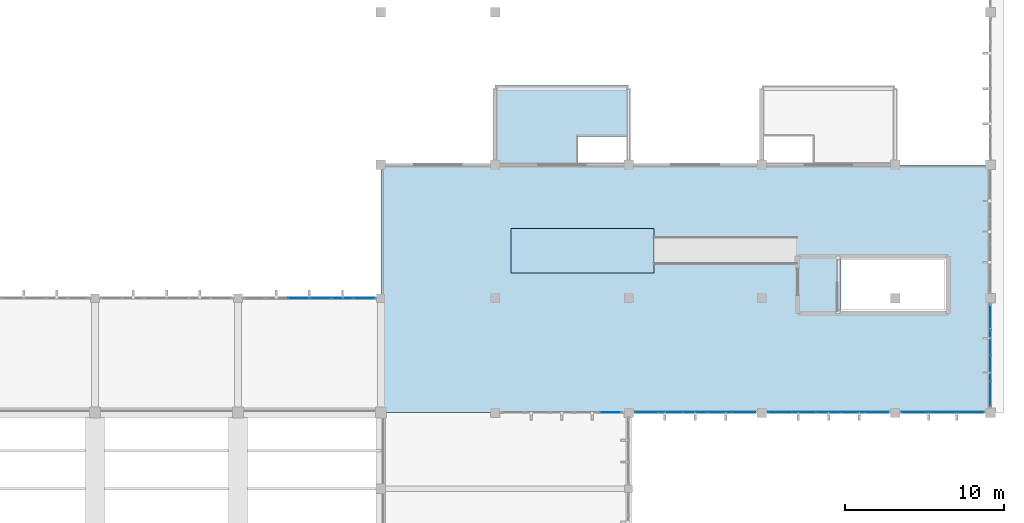
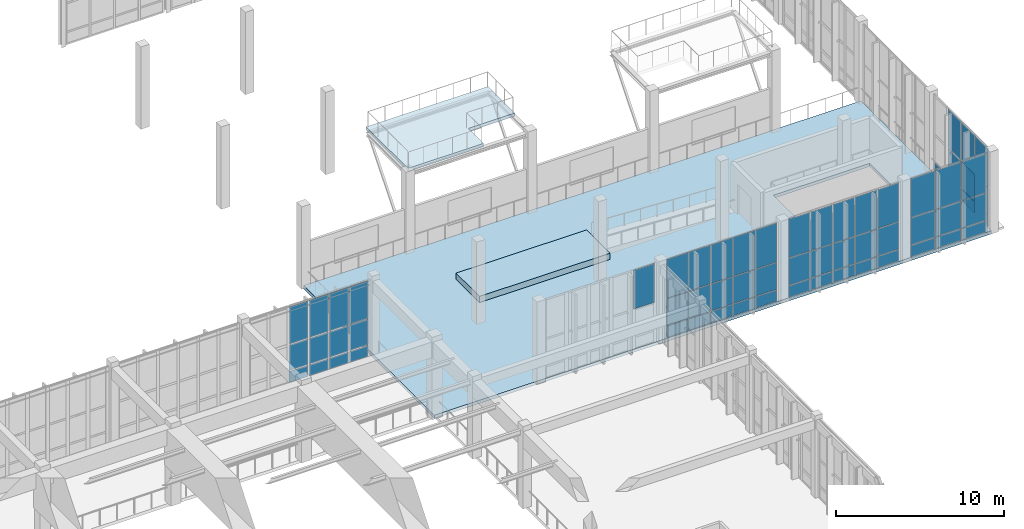
# One storey, part 66 of 105: 62 plates, 3 slabs, 6 elements without a shape of their own.
"""IFC4 building model written with IfcOpenShell, lengths in metres."""

from ifc_helpers import new_model, si_unit, direction, frame, origin, origin_2d, place, context, subcontext, project, spatial, polyline, rectangle, outline, extrude, material, layer, layer_set, type_object, element, aggregate, save


model = new_model("IFC4")

# Units and contexts
model_context = context("Model", 3, precision=1e-05, world=origin(), true_north=direction((0.0, 1.0)))
body_context = subcontext(model_context, "Body", "Model", "MODEL_VIEW")
ifc_project = project(units=[si_unit("LENGTHUNIT", "METRE"), si_unit("AREAUNIT", "SQUARE_METRE"), si_unit("VOLUMEUNIT", "CUBIC_METRE"), si_unit("PLANEANGLEUNIT", "RADIAN"), si_unit("MASSUNIT", "GRAM", prefix="KILO")], contexts=[model_context])

# Site, building, storey
site_placement = place(None, origin())
site = spatial("IfcSite", under=ifc_project, at=site_placement, CompositionType="ELEMENT")
building_placement = place(site_placement, origin())
building = spatial("IfcBuilding", under=site, at=building_placement, Name="Tizgana Railside Sports Hall", CompositionType="ELEMENT")
storey_placement = place(building_placement, frame((0.0, 0.0, 6.0)))
storey = spatial("IfcBuildingStorey", under=building, at=storey_placement, Name="L01", CompositionType="ELEMENT", Elevation=6.0)

# Curtain wall, plates
ifc_material_1 = material(Name="Anodised aluminium and glass", Category="aluminium")
curtain_wall_type_1 = type_object("IfcCurtainWallType", Name="Unitised Curtain Wall Foyer 1300", PredefinedType="NOTDEFINED", material=ifc_material_1)
curtain_wall_1_placement = place(storey_placement, origin())
curtain_wall_1 = element("IfcCurtainWall", 1, at=curtain_wall_1_placement, inside=storey, type_object=curtain_wall_type_1, Name="L01 Curtain Wall CW-0057", PredefinedType="NOTDEFINED")
ifc_material_2 = material(Name="Double low-E laminated glass", Category="glass")
ifc_layer_1 = layer(ifc_material_2, 0.033935546875, Name="Double low-E laminated glass")
ifc_layer_set_1 = layer_set([ifc_layer_1], Name="Double low-E laminated glass")
plate_type_1 = type_object("IfcPlateType", Name="Acoustic Laminated Glazing Panel 34", PredefinedType="CURTAIN_PANEL", material=ifc_layer_set_1)
plate_1_placement = place(storey_placement, frame((172.199951171875, 74.382568359375, 0.06494140625), z_axis=(0.0, 0.0, 1.0), x_axis=(0.0, 1.0, 0.0)))
plate_1 = element("IfcPlate", 2, at=plate_1_placement, type_object=plate_type_1, Name="CW-02 panel 1.1", PredefinedType="CURTAIN_PANEL", context=body_context, shape_type="SweptSolid", body=[
    extrude(rectangle(XDim=1.52490234375, YDim=0.033935546875, at=origin_2d()), origin(), (0.0, 0.0, 1.0), 0.802490234375),
])
plate_2_placement = place(storey_placement, frame((172.199951171875, 74.382568359375, 0.932373046875), z_axis=(0.0, 0.0, 1.0), x_axis=(0.0, 1.0, 0.0)))
plate_2 = element("IfcPlate", 3, at=plate_2_placement, type_object=plate_type_1, Name="CW-02 panel 1.2", PredefinedType="CURTAIN_PANEL", context=body_context, shape_type="SweptSolid", body=[
    extrude(rectangle(XDim=1.52490234375, YDim=0.033935546875, at=origin_2d()), origin(), (0.0, 0.0, 1.0), 1.93505859375),
])
plate_3_placement = place(storey_placement, frame((172.199951171875, 74.382568359375, 2.9326171875), z_axis=(0.0, 0.0, 1.0), x_axis=(0.0, 1.0, 0.0)))
plate_3 = element("IfcPlate", 4, at=plate_3_placement, type_object=plate_type_1, Name="CW-02 panel 1.3", PredefinedType="CURTAIN_PANEL", context=body_context, shape_type="SweptSolid", body=[
    extrude(rectangle(XDim=1.52490234375, YDim=0.033935546875, at=origin_2d()), origin(), (0.0, 0.0, 1.0), 2.802490234375),
])
plate_4_placement = place(storey_placement, frame((172.199951171875, 75.98876953125, 0.06494140625), z_axis=(0.0, 0.0, 1.0), x_axis=(0.0, 1.0, 0.0)))
plate_4 = element("IfcPlate", 5, at=plate_4_placement, type_object=plate_type_1, Name="CW-02 panel 2.1", PredefinedType="CURTAIN_PANEL", context=body_context, shape_type="SweptSolid", body=[
    extrude(rectangle(XDim=1.5576171875, YDim=0.033935546875, at=origin_2d()), origin(), (0.0, 0.0, 1.0), 0.802490234375),
])
plate_5_placement = place(storey_placement, frame((172.199951171875, 75.98876953125, 0.932373046875), z_axis=(0.0, 0.0, 1.0), x_axis=(0.0, 1.0, 0.0)))
plate_5 = element("IfcPlate", 6, at=plate_5_placement, type_object=plate_type_1, Name="CW-02 panel 2.2", PredefinedType="CURTAIN_PANEL", context=body_context, shape_type="SweptSolid", body=[
    extrude(rectangle(XDim=1.5576171875, YDim=0.033935546875, at=origin_2d()), origin(), (0.0, 0.0, 1.0), 1.93505859375),
])
plate_6_placement = place(storey_placement, frame((172.199951171875, 75.98876953125, 2.9326171875), z_axis=(0.0, 0.0, 1.0), x_axis=(0.0, 1.0, 0.0)))
plate_6 = element("IfcPlate", 7, at=plate_6_placement, type_object=plate_type_1, Name="CW-02 panel 2.3", PredefinedType="CURTAIN_PANEL", context=body_context, shape_type="SweptSolid", body=[
    extrude(rectangle(XDim=1.5576171875, YDim=0.033935546875, at=origin_2d()), origin(), (0.0, 0.0, 1.0), 2.802490234375),
])
plate_7_placement = place(storey_placement, frame((172.199951171875, 77.611328125, 0.06494140625), z_axis=(0.0, 0.0, 1.0), x_axis=(0.0, 1.0, 0.0)))
plate_7 = element("IfcPlate", 8, at=plate_7_placement, type_object=plate_type_1, Name="CW-02 panel 3.1", PredefinedType="CURTAIN_PANEL", context=body_context, shape_type="SweptSolid", body=[
    extrude(rectangle(XDim=1.5576171875, YDim=0.033935546875, at=origin_2d()), origin(), (0.0, 0.0, 1.0), 0.802490234375),
])
plate_8_placement = place(storey_placement, frame((172.199951171875, 77.611328125, 0.932373046875), z_axis=(0.0, 0.0, 1.0), x_axis=(0.0, 1.0, 0.0)))
plate_8 = element("IfcPlate", 9, at=plate_8_placement, type_object=plate_type_1, Name="CW-02 panel 3.2", PredefinedType="CURTAIN_PANEL", context=body_context, shape_type="SweptSolid", body=[
    extrude(rectangle(XDim=1.5576171875, YDim=0.033935546875, at=origin_2d()), origin(), (0.0, 0.0, 1.0), 1.93505859375),
])
plate_9_placement = place(storey_placement, frame((172.199951171875, 77.611328125, 2.9326171875), z_axis=(0.0, 0.0, 1.0), x_axis=(0.0, 1.0, 0.0)))
plate_9 = element("IfcPlate", 10, at=plate_9_placement, type_object=plate_type_1, Name="CW-02 panel 3.3", PredefinedType="CURTAIN_PANEL", context=body_context, shape_type="SweptSolid", body=[
    extrude(rectangle(XDim=1.5576171875, YDim=0.033935546875, at=origin_2d()), origin(), (0.0, 0.0, 1.0), 2.802490234375),
])
plate_10_placement = place(storey_placement, frame((172.199951171875, 79.217529296875, 0.06494140625), z_axis=(0.0, 0.0, 1.0), x_axis=(0.0, 1.0, 0.0)))
plate_10 = element("IfcPlate", 11, at=plate_10_placement, type_object=plate_type_1, Name="CW-02 panel 4.1", PredefinedType="CURTAIN_PANEL", context=body_context, shape_type="SweptSolid", body=[
    extrude(rectangle(XDim=1.52490234375, YDim=0.033935546875, at=origin_2d()), origin(), (0.0, 0.0, 1.0), 0.802490234375),
])
aggregate(curtain_wall_1, [plate_1, plate_2, plate_3, plate_4, plate_5, plate_6, plate_7, plate_8, plate_9, plate_10])

curtain_wall_2_placement = place(storey_placement, origin())
curtain_wall_2 = element("IfcCurtainWall", 12, at=curtain_wall_2_placement, inside=storey, type_object=curtain_wall_type_1, Name="L01 Curtain Wall CW-0073", PredefinedType="NOTDEFINED")
plate_11_placement = place(storey_placement, frame((165.06103515625, 73.199951171875, 0.06005859375), z_axis=(0.0, 0.0, 1.0), x_axis=(-1.0, 0.0, 0.0)))
plate_11 = element("IfcPlate", 13, at=plate_11_placement, type_object=plate_type_1, Name="CW-02 panel 1.1", PredefinedType="CURTAIN_PANEL", context=body_context, shape_type="SweptSolid", body=[
    extrude(rectangle(XDim=1.447998046875, YDim=0.033935546875, at=origin_2d()), origin(), (0.0, 0.0, 1.0), 0.81005859375),
])
plate_12_placement = place(storey_placement, frame((165.06103515625, 73.199951171875, 0.929931640625), z_axis=(0.0, 0.0, 1.0), x_axis=(-1.0, 0.0, 0.0)))
plate_12 = element("IfcPlate", 14, at=plate_12_placement, type_object=plate_type_1, Name="CW-02 panel 1.2", PredefinedType="CURTAIN_PANEL", context=body_context, shape_type="SweptSolid", body=[
    extrude(rectangle(XDim=1.447998046875, YDim=0.033935546875, at=origin_2d()), origin(), (0.0, 0.0, 1.0), 1.93994140625),
])
plate_13_placement = place(storey_placement, frame((165.06103515625, 73.199951171875, 2.929931640625), z_axis=(0.0, 0.0, 1.0), x_axis=(-1.0, 0.0, 0.0)))
plate_13 = element("IfcPlate", 15, at=plate_13_placement, type_object=plate_type_1, Name="CW-02 panel 1.3", PredefinedType="CURTAIN_PANEL", context=body_context, shape_type="SweptSolid", body=[
    extrude(rectangle(XDim=1.447998046875, YDim=0.033935546875, at=origin_2d()), origin(), (0.0, 0.0, 1.0), 2.81005859375),
])
plate_14_placement = place(storey_placement, frame((163.5380859375, 73.199951171875, 0.06005859375), z_axis=(0.0, 0.0, 1.0), x_axis=(-1.0, 0.0, 0.0)))
plate_14 = element("IfcPlate", 16, at=plate_14_placement, type_object=plate_type_1, Name="CW-02 panel 2.1", PredefinedType="CURTAIN_PANEL", context=body_context, shape_type="SweptSolid", body=[
    extrude(rectangle(XDim=1.47802734375, YDim=0.033935546875, at=origin_2d()), origin(), (0.0, 0.0, 1.0), 0.81005859375),
])
plate_15_placement = place(storey_placement, frame((163.5380859375, 73.199951171875, 0.929931640625), z_axis=(0.0, 0.0, 1.0), x_axis=(-1.0, 0.0, 0.0)))
plate_15 = element("IfcPlate", 17, at=plate_15_placement, type_object=plate_type_1, Name="CW-02 panel 2.2", PredefinedType="CURTAIN_PANEL", context=body_context, shape_type="SweptSolid", body=[
    extrude(rectangle(XDim=1.47802734375, YDim=0.033935546875, at=origin_2d()), origin(), (0.0, 0.0, 1.0), 1.93994140625),
])
plate_16_placement = place(storey_placement, frame((163.5380859375, 73.199951171875, 2.929931640625), z_axis=(0.0, 0.0, 1.0), x_axis=(-1.0, 0.0, 0.0)))
plate_16 = element("IfcPlate", 18, at=plate_16_placement, type_object=plate_type_1, Name="CW-02 panel 2.3", PredefinedType="CURTAIN_PANEL", context=body_context, shape_type="SweptSolid", body=[
    extrude(rectangle(XDim=1.47802734375, YDim=0.033935546875, at=origin_2d()), origin(), (0.0, 0.0, 1.0), 2.81005859375),
])
plate_17_placement = place(storey_placement, frame((162.0, 73.199951171875, 0.06005859375), z_axis=(0.0, 0.0, 1.0), x_axis=(-1.0, 0.0, 0.0)))
plate_17 = element("IfcPlate", 19, at=plate_17_placement, type_object=plate_type_1, Name="CW-02 panel 3.1", PredefinedType="CURTAIN_PANEL", context=body_context, shape_type="SweptSolid", body=[
    extrude(rectangle(XDim=1.47802734375, YDim=0.033935546875, at=origin_2d()), origin(), (0.0, 0.0, 1.0), 0.81005859375),
])
plate_18_placement = place(storey_placement, frame((162.0, 73.199951171875, 0.929931640625), z_axis=(0.0, 0.0, 1.0), x_axis=(-1.0, 0.0, 0.0)))
plate_18 = element("IfcPlate", 20, at=plate_18_placement, type_object=plate_type_1, Name="CW-02 panel 3.2", PredefinedType="CURTAIN_PANEL", context=body_context, shape_type="SweptSolid", body=[
    extrude(rectangle(XDim=1.47802734375, YDim=0.033935546875, at=origin_2d()), origin(), (0.0, 0.0, 1.0), 1.93994140625),
])
plate_19_placement = place(storey_placement, frame((162.0, 73.199951171875, 2.929931640625), z_axis=(0.0, 0.0, 1.0), x_axis=(-1.0, 0.0, 0.0)))
plate_19 = element("IfcPlate", 21, at=plate_19_placement, type_object=plate_type_1, Name="CW-02 panel 3.3", PredefinedType="CURTAIN_PANEL", context=body_context, shape_type="SweptSolid", body=[
    extrude(rectangle(XDim=1.47802734375, YDim=0.033935546875, at=origin_2d()), origin(), (0.0, 0.0, 1.0), 2.81005859375),
])
plate_20_placement = place(storey_placement, frame((160.4619140625, 73.199951171875, 0.06005859375), z_axis=(0.0, 0.0, 1.0), x_axis=(-1.0, 0.0, 0.0)))
plate_20 = element("IfcPlate", 22, at=plate_20_placement, type_object=plate_type_1, Name="CW-02 panel 4.1", PredefinedType="CURTAIN_PANEL", context=body_context, shape_type="SweptSolid", body=[
    extrude(rectangle(XDim=1.47802734375, YDim=0.033935546875, at=origin_2d()), origin(), (0.0, 0.0, 1.0), 0.81005859375),
])
plate_21_placement = place(storey_placement, frame((160.4619140625, 73.199951171875, 0.929931640625), z_axis=(0.0, 0.0, 1.0), x_axis=(-1.0, 0.0, 0.0)))
plate_21 = element("IfcPlate", 23, at=plate_21_placement, type_object=plate_type_1, Name="CW-02 panel 4.2", PredefinedType="CURTAIN_PANEL", context=body_context, shape_type="SweptSolid", body=[
    extrude(rectangle(XDim=1.47802734375, YDim=0.033935546875, at=origin_2d()), origin(), (0.0, 0.0, 1.0), 1.93994140625),
])
plate_22_placement = place(storey_placement, frame((160.4619140625, 73.199951171875, 2.929931640625), z_axis=(0.0, 0.0, 1.0), x_axis=(-1.0, 0.0, 0.0)))
plate_22 = element("IfcPlate", 24, at=plate_22_placement, type_object=plate_type_1, Name="CW-02 panel 4.3", PredefinedType="CURTAIN_PANEL", context=body_context, shape_type="SweptSolid", body=[
    extrude(rectangle(XDim=1.47802734375, YDim=0.033935546875, at=origin_2d()), origin(), (0.0, 0.0, 1.0), 2.81005859375),
])
plate_23_placement = place(storey_placement, frame((158.93896484375, 73.199951171875, 0.06005859375), z_axis=(0.0, 0.0, 1.0), x_axis=(-1.0, 0.0, 0.0)))
plate_23 = element("IfcPlate", 25, at=plate_23_placement, type_object=plate_type_1, Name="CW-02 panel 5.1", PredefinedType="CURTAIN_PANEL", context=body_context, shape_type="SweptSolid", body=[
    extrude(rectangle(XDim=1.447998046875, YDim=0.033935546875, at=origin_2d()), origin(), (0.0, 0.0, 1.0), 0.81005859375),
])
plate_24_placement = place(storey_placement, frame((158.93896484375, 73.199951171875, 0.929931640625), z_axis=(0.0, 0.0, 1.0), x_axis=(-1.0, 0.0, 0.0)))
plate_24 = element("IfcPlate", 26, at=plate_24_placement, type_object=plate_type_1, Name="CW-02 panel 5.2", PredefinedType="CURTAIN_PANEL", context=body_context, shape_type="SweptSolid", body=[
    extrude(rectangle(XDim=1.447998046875, YDim=0.033935546875, at=origin_2d()), origin(), (0.0, 0.0, 1.0), 1.93994140625),
])
plate_25_placement = place(storey_placement, frame((158.93896484375, 73.199951171875, 2.929931640625), z_axis=(0.0, 0.0, 1.0), x_axis=(-1.0, 0.0, 0.0)))
plate_25 = element("IfcPlate", 27, at=plate_25_placement, type_object=plate_type_1, Name="CW-02 panel 5.3", PredefinedType="CURTAIN_PANEL", context=body_context, shape_type="SweptSolid", body=[
    extrude(rectangle(XDim=1.447998046875, YDim=0.033935546875, at=origin_2d()), origin(), (0.0, 0.0, 1.0), 2.81005859375),
])
aggregate(curtain_wall_2, [plate_11, plate_12, plate_13, plate_14, plate_15, plate_16, plate_17, plate_18, plate_19, plate_20, plate_21, plate_22, plate_23, plate_24, plate_25])

curtain_wall_type_2 = type_object("IfcCurtainWallType", Name="Unitised Curtain Wall Studio 1400", PredefinedType="NOTDEFINED", material=ifc_material_1)
curtain_wall_3_placement = place(storey_placement, origin())
curtain_wall_3 = element("IfcCurtainWall", 28, at=curtain_wall_3_placement, inside=storey, type_object=curtain_wall_type_2, Name="L01 Curtain Wall CW-0074", PredefinedType="NOTDEFINED")
ifc_layer_2 = layer(ifc_material_2, 0.0400390625, Name="Double low-E laminated glass")
ifc_layer_set_2 = layer_set([ifc_layer_2], Name="Double low-E laminated glass")
plate_type_2 = type_object("IfcPlateType", Name="High-Span Tempered Glazing Panel 40", PredefinedType="CURTAIN_PANEL", material=ifc_layer_set_2)
plate_26_placement = place(storey_placement, frame((170.9482421875, 73.199951171875, 0.06005859375), z_axis=(0.0, 0.0, 1.0), x_axis=(-1.0, 0.0, 0.0)))
plate_26 = element("IfcPlate", 29, at=plate_26_placement, type_object=plate_type_2, Name="CW-03 panel 1.1", PredefinedType="CURTAIN_PANEL", context=body_context, shape_type="SweptSolid", body=[
    extrude(rectangle(XDim=1.67333984375, YDim=0.0400390625, at=origin_2d()), origin(), (0.0, 0.0, 1.0), 0.81005859375),
])
plate_27_placement = place(storey_placement, frame((170.9482421875, 73.199951171875, 0.929931640625), z_axis=(0.0, 0.0, 1.0), x_axis=(-1.0, 0.0, 0.0)))
plate_27 = element("IfcPlate", 30, at=plate_27_placement, type_object=plate_type_2, Name="CW-03 panel 1.2", PredefinedType="CURTAIN_PANEL", context=body_context, shape_type="SweptSolid", body=[
    extrude(rectangle(XDim=1.67333984375, YDim=0.0400390625, at=origin_2d()), origin(), (0.0, 0.0, 1.0), 1.93994140625),
])
plate_28_placement = place(storey_placement, frame((170.9482421875, 73.199951171875, 2.929931640625), z_axis=(0.0, 0.0, 1.0), x_axis=(-1.0, 0.0, 0.0)))
plate_28 = element("IfcPlate", 31, at=plate_28_placement, type_object=plate_type_2, Name="CW-03 panel 1.3", PredefinedType="CURTAIN_PANEL", context=body_context, shape_type="SweptSolid", body=[
    extrude(rectangle(XDim=1.67333984375, YDim=0.0400390625, at=origin_2d()), origin(), (0.0, 0.0, 1.0), 2.81005859375),
])
plate_29_placement = place(storey_placement, frame((169.199951171875, 73.199951171875, 0.06005859375), z_axis=(0.0, 0.0, 1.0), x_axis=(-1.0, 0.0, 0.0)))
plate_29 = element("IfcPlate", 32, at=plate_29_placement, type_object=plate_type_2, Name="CW-03 panel 2.1", PredefinedType="CURTAIN_PANEL", context=body_context, shape_type="SweptSolid", body=[
    extrude(rectangle(XDim=1.703369140625, YDim=0.0400390625, at=origin_2d()), origin(), (0.0, 0.0, 1.0), 0.81005859375),
])
plate_30_placement = place(storey_placement, frame((169.199951171875, 73.199951171875, 0.929931640625), z_axis=(0.0, 0.0, 1.0), x_axis=(-1.0, 0.0, 0.0)))
plate_30 = element("IfcPlate", 33, at=plate_30_placement, type_object=plate_type_2, Name="CW-03 panel 2.2", PredefinedType="CURTAIN_PANEL", context=body_context, shape_type="SweptSolid", body=[
    extrude(rectangle(XDim=1.703369140625, YDim=0.0400390625, at=origin_2d()), origin(), (0.0, 0.0, 1.0), 1.93994140625),
])
plate_31_placement = place(storey_placement, frame((169.199951171875, 73.199951171875, 2.929931640625), z_axis=(0.0, 0.0, 1.0), x_axis=(-1.0, 0.0, 0.0)))
plate_31 = element("IfcPlate", 34, at=plate_31_placement, type_object=plate_type_2, Name="CW-03 panel 2.3", PredefinedType="CURTAIN_PANEL", context=body_context, shape_type="SweptSolid", body=[
    extrude(rectangle(XDim=1.703369140625, YDim=0.0400390625, at=origin_2d()), origin(), (0.0, 0.0, 1.0), 2.81005859375),
])
plate_32_placement = place(storey_placement, frame((167.45166015625, 73.199951171875, 0.06005859375), z_axis=(0.0, 0.0, 1.0), x_axis=(-1.0, 0.0, 0.0)))
plate_32 = element("IfcPlate", 35, at=plate_32_placement, type_object=plate_type_2, Name="CW-03 panel 3.1", PredefinedType="CURTAIN_PANEL", context=body_context, shape_type="SweptSolid", body=[
    extrude(rectangle(XDim=1.67333984375, YDim=0.0400390625, at=origin_2d()), origin(), (0.0, 0.0, 1.0), 0.81005859375),
])
plate_33_placement = place(storey_placement, frame((167.45166015625, 73.199951171875, 0.929931640625), z_axis=(0.0, 0.0, 1.0), x_axis=(-1.0, 0.0, 0.0)))
plate_33 = element("IfcPlate", 36, at=plate_33_placement, type_object=plate_type_2, Name="CW-03 panel 3.2", PredefinedType="CURTAIN_PANEL", context=body_context, shape_type="SweptSolid", body=[
    extrude(rectangle(XDim=1.67333984375, YDim=0.0400390625, at=origin_2d()), origin(), (0.0, 0.0, 1.0), 1.93994140625),
])
plate_34_placement = place(storey_placement, frame((167.45166015625, 73.199951171875, 2.929931640625), z_axis=(0.0, 0.0, 1.0), x_axis=(-1.0, 0.0, 0.0)))
plate_34 = element("IfcPlate", 37, at=plate_34_placement, type_object=plate_type_2, Name="CW-03 panel 3.3", PredefinedType="CURTAIN_PANEL", context=body_context, shape_type="SweptSolid", body=[
    extrude(rectangle(XDim=1.67333984375, YDim=0.0400390625, at=origin_2d()), origin(), (0.0, 0.0, 1.0), 2.81005859375),
])
aggregate(curtain_wall_3, [plate_26, plate_27, plate_28, plate_29, plate_30, plate_31, plate_32, plate_33, plate_34])

# Curtain wall, plate
curtain_wall_type_3 = type_object("IfcCurtainWallType", Name="Unitised Curtain Wall EastHall 1500", PredefinedType="NOTDEFINED", material=ifc_material_1)
curtain_wall_4_placement = place(storey_placement, origin())
curtain_wall_4 = element("IfcCurtainWall", 38, at=curtain_wall_4_placement, inside=storey, type_object=curtain_wall_type_3, Name="L01 Curtain Wall CW-0071", PredefinedType="NOTDEFINED")
ifc_layer_3 = layer(ifc_material_2, 0.031982421875, Name="Double low-E laminated glass")
ifc_layer_set_3 = layer_set([ifc_layer_3], Name="Double low-E laminated glass")
plate_type_3 = type_object("IfcPlateType", Name="North-Light Clerestory Glazing Panel 32", PredefinedType="CURTAIN_PANEL", material=ifc_layer_set_3)
plate_35_placement = place(storey_placement, frame((148.25732421875, 73.199951171875, 2.927490234375), z_axis=(0.0, 0.0, 1.0), x_axis=(-1.0, 0.0, 0.0)))
plate_35 = element("IfcPlate", 39, at=plate_35_placement, type_object=plate_type_3, Name="CW-08 panel 1.3", PredefinedType="CURTAIN_PANEL", context=body_context, shape_type="SweptSolid", body=[
    extrude(rectangle(XDim=1.425537109375, YDim=0.031982421875, at=origin_2d()), origin(), (0.0, 0.0, 1.0), 2.8173828125),
])
aggregate(curtain_wall_4, [plate_35])

# Curtain wall, plates
curtain_wall_type_4 = type_object("IfcCurtainWallType", Name="Unitised Curtain Wall Clinic 1200", PredefinedType="NOTDEFINED", material=ifc_material_1)
curtain_wall_5_placement = place(storey_placement, origin())
curtain_wall_5 = element("IfcCurtainWall", 40, at=curtain_wall_5_placement, inside=storey, type_object=curtain_wall_type_4, Name="L01 Curtain Wall CW-0028", PredefinedType="NOTDEFINED")
ifc_layer_4 = layer(ifc_material_2, 0.028076171875, Name="Double low-E laminated glass")
ifc_layer_set_4 = layer_set([ifc_layer_4], Name="Double low-E laminated glass")
plate_type_4 = type_object("IfcPlateType", Name="Solar Low-E Glazing Panel 28", PredefinedType="CURTAIN_PANEL", material=ifc_layer_set_4)
plate_36_placement = place(storey_placement, frame((128.60498046875, 80.39990234375, 0.070068359375), z_axis=(0.0, 0.0, 1.0), x_axis=(1.0, 0.0, 0.0)))
plate_36 = element("IfcPlate", 41, at=plate_36_placement, type_object=plate_type_4, Name="CW-05 panel 3.1", PredefinedType="CURTAIN_PANEL", context=body_context, shape_type="SweptSolid", body=[
    extrude(rectangle(XDim=1.320068359375, YDim=0.028076171875, at=origin_2d()), origin(), (0.0, 0.0, 1.0), 0.794921875),
])
plate_37_placement = place(storey_placement, frame((128.60498046875, 80.39990234375, 0.93505859375), z_axis=(0.0, 0.0, 1.0), x_axis=(1.0, 0.0, 0.0)))
plate_37 = element("IfcPlate", 42, at=plate_37_placement, type_object=plate_type_4, Name="CW-05 panel 3.2", PredefinedType="CURTAIN_PANEL", context=body_context, shape_type="SweptSolid", body=[
    extrude(rectangle(XDim=1.320068359375, YDim=0.028076171875, at=origin_2d()), origin(), (0.0, 0.0, 1.0), 1.85009765625),
])
plate_38_placement = place(storey_placement, frame((128.60498046875, 80.39990234375, 2.85498046875), z_axis=(0.0, 0.0, 1.0), x_axis=(1.0, 0.0, 0.0)))
plate_38 = element("IfcPlate", 43, at=plate_38_placement, type_object=plate_type_4, Name="CW-05 panel 3.3", PredefinedType="CURTAIN_PANEL", context=body_context, shape_type="SweptSolid", body=[
    extrude(rectangle(XDim=1.320068359375, YDim=0.028076171875, at=origin_2d()), origin(), (0.0, 0.0, 1.0), 2.715087890625),
])
plate_39_placement = place(storey_placement, frame((129.9951171875, 80.39990234375, 0.070068359375), z_axis=(0.0, 0.0, 1.0), x_axis=(1.0, 0.0, 0.0)))
plate_39 = element("IfcPlate", 44, at=plate_39_placement, type_object=plate_type_4, Name="CW-05 panel 4.1", PredefinedType="CURTAIN_PANEL", context=body_context, shape_type="SweptSolid", body=[
    extrude(rectangle(XDim=1.320068359375, YDim=0.028076171875, at=origin_2d()), origin(), (0.0, 0.0, 1.0), 0.794921875),
])
plate_40_placement = place(storey_placement, frame((129.9951171875, 80.39990234375, 0.93505859375), z_axis=(0.0, 0.0, 1.0), x_axis=(1.0, 0.0, 0.0)))
plate_40 = element("IfcPlate", 45, at=plate_40_placement, type_object=plate_type_4, Name="CW-05 panel 4.2", PredefinedType="CURTAIN_PANEL", context=body_context, shape_type="SweptSolid", body=[
    extrude(rectangle(XDim=1.320068359375, YDim=0.028076171875, at=origin_2d()), origin(), (0.0, 0.0, 1.0), 1.85009765625),
])
plate_41_placement = place(storey_placement, frame((129.9951171875, 80.39990234375, 2.85498046875), z_axis=(0.0, 0.0, 1.0), x_axis=(1.0, 0.0, 0.0)))
plate_41 = element("IfcPlate", 46, at=plate_41_placement, type_object=plate_type_4, Name="CW-05 panel 4.3", PredefinedType="CURTAIN_PANEL", context=body_context, shape_type="SweptSolid", body=[
    extrude(rectangle(XDim=1.320068359375, YDim=0.028076171875, at=origin_2d()), origin(), (0.0, 0.0, 1.0), 2.715087890625),
])
plate_42_placement = place(storey_placement, frame((131.385009765625, 80.39990234375, 0.070068359375), z_axis=(0.0, 0.0, 1.0), x_axis=(1.0, 0.0, 0.0)))
plate_42 = element("IfcPlate", 47, at=plate_42_placement, type_object=plate_type_4, Name="CW-05 panel 5.1", PredefinedType="CURTAIN_PANEL", context=body_context, shape_type="SweptSolid", body=[
    extrude(rectangle(XDim=1.320068359375, YDim=0.028076171875, at=origin_2d()), origin(), (0.0, 0.0, 1.0), 0.794921875),
])
plate_43_placement = place(storey_placement, frame((131.385009765625, 80.39990234375, 0.93505859375), z_axis=(0.0, 0.0, 1.0), x_axis=(1.0, 0.0, 0.0)))
plate_43 = element("IfcPlate", 48, at=plate_43_placement, type_object=plate_type_4, Name="CW-05 panel 5.2", PredefinedType="CURTAIN_PANEL", context=body_context, shape_type="SweptSolid", body=[
    extrude(rectangle(XDim=1.320068359375, YDim=0.028076171875, at=origin_2d()), origin(), (0.0, 0.0, 1.0), 1.85009765625),
])
plate_44_placement = place(storey_placement, frame((131.385009765625, 80.39990234375, 2.85498046875), z_axis=(0.0, 0.0, 1.0), x_axis=(1.0, 0.0, 0.0)))
plate_44 = element("IfcPlate", 49, at=plate_44_placement, type_object=plate_type_4, Name="CW-05 panel 5.3", PredefinedType="CURTAIN_PANEL", context=body_context, shape_type="SweptSolid", body=[
    extrude(rectangle(XDim=1.320068359375, YDim=0.028076171875, at=origin_2d()), origin(), (0.0, 0.0, 1.0), 2.715087890625),
])
plate_45_placement = place(storey_placement, frame((132.757568359375, 80.39990234375, 0.070068359375), z_axis=(0.0, 0.0, 1.0), x_axis=(1.0, 0.0, 0.0)))
plate_45 = element("IfcPlate", 50, at=plate_45_placement, type_object=plate_type_4, Name="CW-05 panel 6.1", PredefinedType="CURTAIN_PANEL", context=body_context, shape_type="SweptSolid", body=[
    extrude(rectangle(XDim=1.284912109375, YDim=0.028076171875, at=origin_2d()), origin(), (0.0, 0.0, 1.0), 0.794921875),
])
plate_46_placement = place(storey_placement, frame((132.757568359375, 80.39990234375, 0.93505859375), z_axis=(0.0, 0.0, 1.0), x_axis=(1.0, 0.0, 0.0)))
plate_46 = element("IfcPlate", 51, at=plate_46_placement, type_object=plate_type_4, Name="CW-05 panel 6.2", PredefinedType="CURTAIN_PANEL", context=body_context, shape_type="SweptSolid", body=[
    extrude(rectangle(XDim=1.284912109375, YDim=0.028076171875, at=origin_2d()), origin(), (0.0, 0.0, 1.0), 1.85009765625),
])
plate_47_placement = place(storey_placement, frame((132.757568359375, 80.39990234375, 2.85498046875), z_axis=(0.0, 0.0, 1.0), x_axis=(1.0, 0.0, 0.0)))
plate_47 = element("IfcPlate", 52, at=plate_47_placement, type_object=plate_type_4, Name="CW-05 panel 6.3", PredefinedType="CURTAIN_PANEL", context=body_context, shape_type="SweptSolid", body=[
    extrude(rectangle(XDim=1.284912109375, YDim=0.028076171875, at=origin_2d()), origin(), (0.0, 0.0, 1.0), 2.715087890625),
])
aggregate(curtain_wall_5, [plate_36, plate_37, plate_38, plate_39, plate_40, plate_41, plate_42, plate_43, plate_44, plate_45, plate_46, plate_47])

curtain_wall_type_5 = type_object("IfcCurtainWallType", Name="Unitised Curtain Wall Concourse 1500", PredefinedType="NOTDEFINED", material=ifc_material_1)
curtain_wall_6_placement = place(storey_placement, origin())
curtain_wall_6 = element("IfcCurtainWall", 53, at=curtain_wall_6_placement, inside=storey, type_object=curtain_wall_type_5, Name="L01 Curtain Wall CW-0072", PredefinedType="NOTDEFINED")
plate_48_placement = place(storey_placement, frame((156.660888671875, 73.199951171875, 0.06005859375), z_axis=(0.0, 0.0, 1.0), x_axis=(-1.0, 0.0, 0.0)))
plate_48 = element("IfcPlate", 54, at=plate_48_placement, type_object=plate_type_4, Name="CW-01 panel 1.1", PredefinedType="CURTAIN_PANEL", context=body_context, shape_type="SweptSolid", body=[
    extrude(rectangle(XDim=1.447998046875, YDim=0.028076171875, at=origin_2d()), origin(), (0.0, 0.0, 1.0), 0.81005859375),
])
plate_49_placement = place(storey_placement, frame((156.660888671875, 73.199951171875, 0.929931640625), z_axis=(0.0, 0.0, 1.0), x_axis=(-1.0, 0.0, 0.0)))
plate_49 = element("IfcPlate", 55, at=plate_49_placement, type_object=plate_type_4, Name="CW-01 panel 1.2", PredefinedType="CURTAIN_PANEL", context=body_context, shape_type="SweptSolid", body=[
    extrude(rectangle(XDim=1.447998046875, YDim=0.028076171875, at=origin_2d()), origin(), (0.0, 0.0, 1.0), 1.93994140625),
])
plate_50_placement = place(storey_placement, frame((156.660888671875, 73.199951171875, 2.929931640625), z_axis=(0.0, 0.0, 1.0), x_axis=(-1.0, 0.0, 0.0)))
plate_50 = element("IfcPlate", 56, at=plate_50_placement, type_object=plate_type_4, Name="CW-01 panel 1.3", PredefinedType="CURTAIN_PANEL", context=body_context, shape_type="SweptSolid", body=[
    extrude(rectangle(XDim=1.447998046875, YDim=0.028076171875, at=origin_2d()), origin(), (0.0, 0.0, 1.0), 2.81005859375),
])
plate_51_placement = place(storey_placement, frame((155.137939453125, 73.199951171875, 0.06005859375), z_axis=(0.0, 0.0, 1.0), x_axis=(-1.0, 0.0, 0.0)))
plate_51 = element("IfcPlate", 57, at=plate_51_placement, type_object=plate_type_4, Name="CW-01 panel 2.1", PredefinedType="CURTAIN_PANEL", context=body_context, shape_type="SweptSolid", body=[
    extrude(rectangle(XDim=1.47802734375, YDim=0.028076171875, at=origin_2d()), origin(), (0.0, 0.0, 1.0), 0.81005859375),
])
plate_52_placement = place(storey_placement, frame((155.137939453125, 73.199951171875, 0.929931640625), z_axis=(0.0, 0.0, 1.0), x_axis=(-1.0, 0.0, 0.0)))
plate_52 = element("IfcPlate", 58, at=plate_52_placement, type_object=plate_type_4, Name="CW-01 panel 2.2", PredefinedType="CURTAIN_PANEL", context=body_context, shape_type="SweptSolid", body=[
    extrude(rectangle(XDim=1.47802734375, YDim=0.028076171875, at=origin_2d()), origin(), (0.0, 0.0, 1.0), 1.93994140625),
])
plate_53_placement = place(storey_placement, frame((155.137939453125, 73.199951171875, 2.929931640625), z_axis=(0.0, 0.0, 1.0), x_axis=(-1.0, 0.0, 0.0)))
plate_53 = element("IfcPlate", 59, at=plate_53_placement, type_object=plate_type_4, Name="CW-01 panel 2.3", PredefinedType="CURTAIN_PANEL", context=body_context, shape_type="SweptSolid", body=[
    extrude(rectangle(XDim=1.47802734375, YDim=0.028076171875, at=origin_2d()), origin(), (0.0, 0.0, 1.0), 2.81005859375),
])
plate_54_placement = place(storey_placement, frame((153.60009765625, 73.199951171875, 0.06005859375), z_axis=(0.0, 0.0, 1.0), x_axis=(-1.0, 0.0, 0.0)))
plate_54 = element("IfcPlate", 60, at=plate_54_placement, type_object=plate_type_4, Name="CW-01 panel 3.1", PredefinedType="CURTAIN_PANEL", context=body_context, shape_type="SweptSolid", body=[
    extrude(rectangle(XDim=1.47802734375, YDim=0.028076171875, at=origin_2d()), origin(), (0.0, 0.0, 1.0), 0.81005859375),
])
plate_55_placement = place(storey_placement, frame((153.60009765625, 73.199951171875, 0.929931640625), z_axis=(0.0, 0.0, 1.0), x_axis=(-1.0, 0.0, 0.0)))
plate_55 = element("IfcPlate", 61, at=plate_55_placement, type_object=plate_type_4, Name="CW-01 panel 3.2", PredefinedType="CURTAIN_PANEL", context=body_context, shape_type="SweptSolid", body=[
    extrude(rectangle(XDim=1.47802734375, YDim=0.028076171875, at=origin_2d()), origin(), (0.0, 0.0, 1.0), 1.93994140625),
])
plate_56_placement = place(storey_placement, frame((153.60009765625, 73.199951171875, 2.929931640625), z_axis=(0.0, 0.0, 1.0), x_axis=(-1.0, 0.0, 0.0)))
plate_56 = element("IfcPlate", 62, at=plate_56_placement, type_object=plate_type_4, Name="CW-01 panel 3.3", PredefinedType="CURTAIN_PANEL", context=body_context, shape_type="SweptSolid", body=[
    extrude(rectangle(XDim=1.47802734375, YDim=0.028076171875, at=origin_2d()), origin(), (0.0, 0.0, 1.0), 2.81005859375),
])
plate_57_placement = place(storey_placement, frame((152.06201171875, 73.199951171875, 0.06005859375), z_axis=(0.0, 0.0, 1.0), x_axis=(-1.0, 0.0, 0.0)))
plate_57 = element("IfcPlate", 63, at=plate_57_placement, type_object=plate_type_4, Name="CW-01 panel 4.1", PredefinedType="CURTAIN_PANEL", context=body_context, shape_type="SweptSolid", body=[
    extrude(rectangle(XDim=1.47802734375, YDim=0.028076171875, at=origin_2d()), origin(), (0.0, 0.0, 1.0), 0.81005859375),
])
plate_58_placement = place(storey_placement, frame((152.06201171875, 73.199951171875, 0.929931640625), z_axis=(0.0, 0.0, 1.0), x_axis=(-1.0, 0.0, 0.0)))
plate_58 = element("IfcPlate", 64, at=plate_58_placement, type_object=plate_type_4, Name="CW-01 panel 4.2", PredefinedType="CURTAIN_PANEL", context=body_context, shape_type="SweptSolid", body=[
    extrude(rectangle(XDim=1.47802734375, YDim=0.028076171875, at=origin_2d()), origin(), (0.0, 0.0, 1.0), 1.93994140625),
])
plate_59_placement = place(storey_placement, frame((152.06201171875, 73.199951171875, 2.929931640625), z_axis=(0.0, 0.0, 1.0), x_axis=(-1.0, 0.0, 0.0)))
plate_59 = element("IfcPlate", 65, at=plate_59_placement, type_object=plate_type_4, Name="CW-01 panel 4.3", PredefinedType="CURTAIN_PANEL", context=body_context, shape_type="SweptSolid", body=[
    extrude(rectangle(XDim=1.47802734375, YDim=0.028076171875, at=origin_2d()), origin(), (0.0, 0.0, 1.0), 2.81005859375),
])
plate_60_placement = place(storey_placement, frame((150.5390625, 73.199951171875, 0.06005859375), z_axis=(0.0, 0.0, 1.0), x_axis=(-1.0, 0.0, 0.0)))
plate_60 = element("IfcPlate", 66, at=plate_60_placement, type_object=plate_type_4, Name="CW-01 panel 5.1", PredefinedType="CURTAIN_PANEL", context=body_context, shape_type="SweptSolid", body=[
    extrude(rectangle(XDim=1.447998046875, YDim=0.028076171875, at=origin_2d()), origin(), (0.0, 0.0, 1.0), 0.81005859375),
])
plate_61_placement = place(storey_placement, frame((150.5390625, 73.199951171875, 0.929931640625), z_axis=(0.0, 0.0, 1.0), x_axis=(-1.0, 0.0, 0.0)))
plate_61 = element("IfcPlate", 67, at=plate_61_placement, type_object=plate_type_4, Name="CW-01 panel 5.2", PredefinedType="CURTAIN_PANEL", context=body_context, shape_type="SweptSolid", body=[
    extrude(rectangle(XDim=1.447998046875, YDim=0.028076171875, at=origin_2d()), origin(), (0.0, 0.0, 1.0), 1.93994140625),
])
plate_62_placement = place(storey_placement, frame((150.5390625, 73.199951171875, 2.929931640625), z_axis=(0.0, 0.0, 1.0), x_axis=(-1.0, 0.0, 0.0)))
plate_62 = element("IfcPlate", 68, at=plate_62_placement, type_object=plate_type_4, Name="CW-01 panel 5.3", PredefinedType="CURTAIN_PANEL", context=body_context, shape_type="SweptSolid", body=[
    extrude(rectangle(XDim=1.447998046875, YDim=0.028076171875, at=origin_2d()), origin(), (0.0, 0.0, 1.0), 2.81005859375),
])
aggregate(curtain_wall_6, [plate_48, plate_49, plate_50, plate_51, plate_52, plate_53, plate_54, plate_55, plate_56, plate_57, plate_58, plate_59, plate_60, plate_61, plate_62])

# Slabs
ifc_material_3 = material(Name="Concrete C35/45", Category="concrete")
ifc_layer_5 = layer(ifc_material_3, 0.22998046875, Name="Concrete C35/45")
ifc_layer_set_5 = layer_set([ifc_layer_5], Name="Concrete C35/45")
slab_type = type_object("IfcSlabType", Name="Suspended Gallery Floor Slab 230", PredefinedType="FLOOR", material=ifc_layer_set_5)
slab_1_placement = place(storey_placement, frame((0.0, 0.0, -0.22998046875)))
element("IfcSlab", 69, at=slab_1_placement, inside=storey, type_object=slab_type, Name="L01 V3 Climbing Viewing Gallery SLB-0023", PredefinedType="FLOOR", context=body_context, shape_type="SweptSolid", body=[
    extrude(outline(polyline([(133.800048828125, 73.199951171875), (172.199951171875, 73.199951171875), (172.199951171875, 88.800048828125), (133.800048828125, 88.800048828125), (133.800048828125, 73.199951171875)]), holes=[polyline([(162.780029296875, 79.60009765625), (169.39990234375, 79.60009765625), (169.39990234375, 82.89990234375), (162.780029296875, 82.89990234375), (162.780029296875, 79.60009765625)])]), origin(), (0.0, 0.0, 1.0), 0.22998046875),
])
slab_2_placement = place(storey_placement, frame((0.0, 0.0, 5.77001953125)))
element("IfcSlab", 70, at=slab_2_placement, inside=storey, type_object=slab_type, Name="L01 V3 Belay Ledge W SLB-0127", PredefinedType="FLOOR", context=body_context, shape_type="SweptSolid", body=[
    extrude(outline(polyline([(141.0, 88.800048828125), (146.199951171875, 88.800048828125), (146.199951171875, 90.60009765625), (149.39990234375, 90.60009765625), (149.39990234375, 93.800048828125), (141.0, 93.800048828125), (141.0, 88.800048828125)])), origin(), (0.0, 0.0, 1.0), 0.22998046875),
])
slab_3_placement = place(storey_placement, origin())
element("IfcSlab", 71, at=slab_3_placement, inside=storey, type_object=slab_type, Name="L01 Wheelchair Viewing Platform 5", PredefinedType="FLOOR", context=body_context, shape_type="SweptSolid", body=[
    extrude(outline(polyline([(142.0, 82.0), (151.0, 82.0), (151.0, 84.800048828125), (142.0, 84.800048828125), (142.0, 82.0)])), origin(), (0.0, 0.0, 1.0), 0.449951171875),
])

save(model, "model.ifc")
